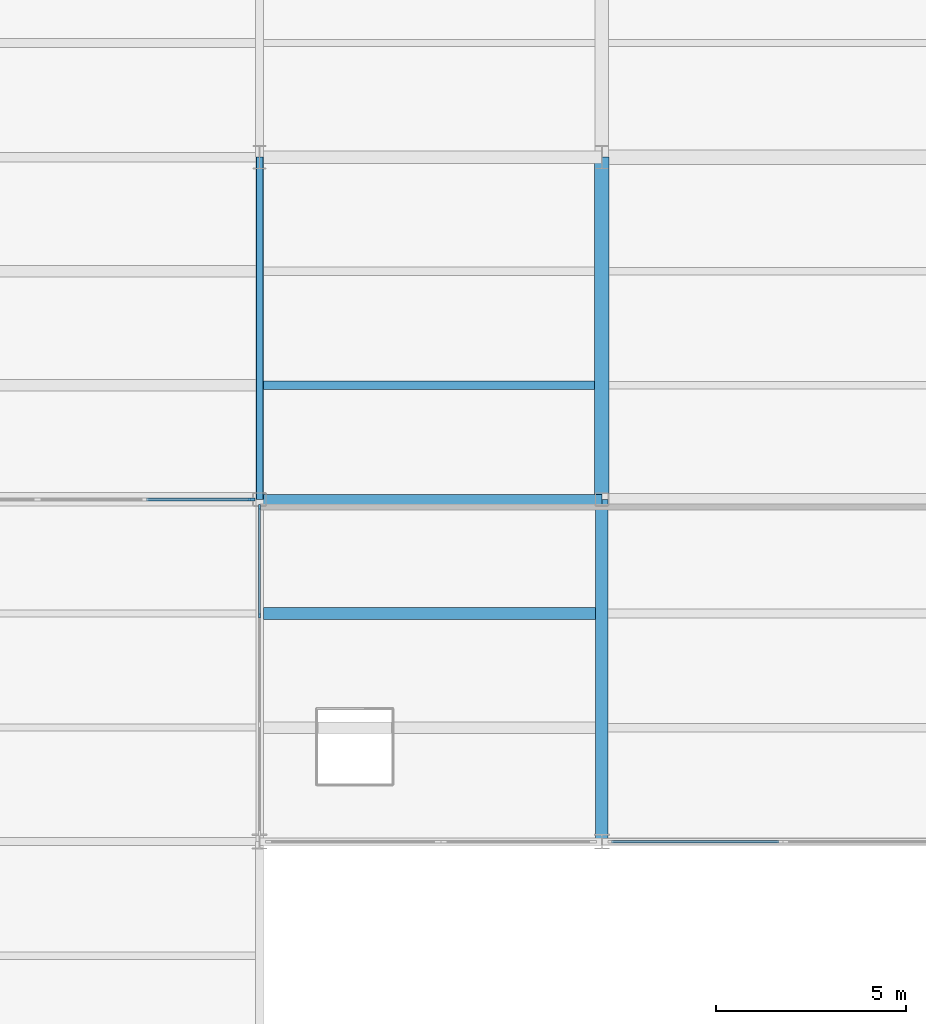
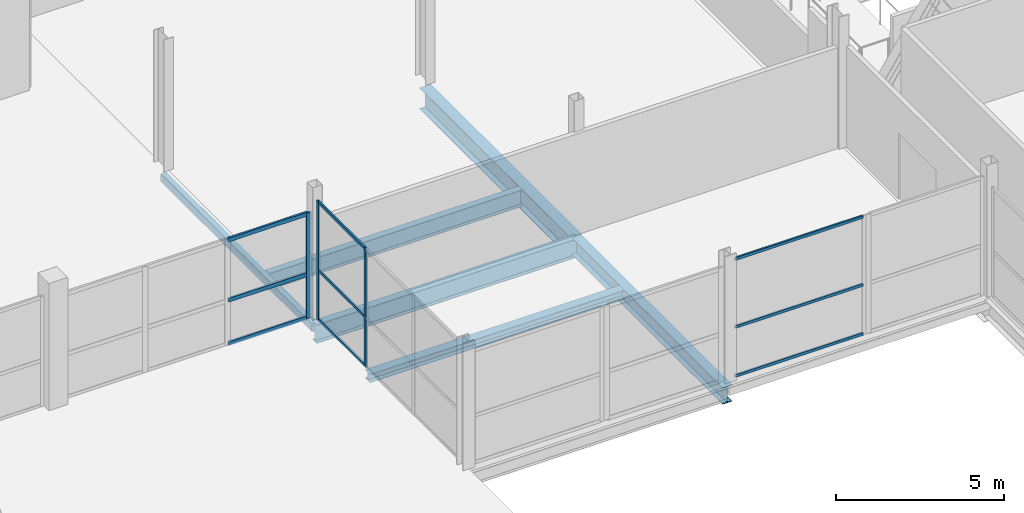
# One storey, part 125 of 224: 12 members, 6 beams, 3 elements without a shape of their own.
"""IFC4 building model written with IfcOpenShell, lengths in metres."""

from ifc_helpers import new_model, si_unit, direction, frame, origin, origin_2d, place, context, subcontext, project, spatial, rectangle, hollow_rectangle, i_section, extrude, material, layer, layer_set, material_profile, profile_set, type_object, element, aggregate, save


model = new_model("IFC4")

# Units and contexts
model_context = context("Model", 3, precision=1e-05, world=origin(), true_north=direction((0.0, 1.0)))
body_context = subcontext(model_context, "Body", "Model", "MODEL_VIEW")
ifc_project = project(units=[si_unit("LENGTHUNIT", "METRE"), si_unit("AREAUNIT", "SQUARE_METRE"), si_unit("VOLUMEUNIT", "CUBIC_METRE"), si_unit("PLANEANGLEUNIT", "RADIAN"), si_unit("MASSUNIT", "GRAM", prefix="KILO")], contexts=[model_context])

# Site, building, storey
site_placement = place(None, origin())
site = spatial("IfcSite", under=ifc_project, at=site_placement, CompositionType="ELEMENT")
building_placement = place(site_placement, origin())
building = spatial("IfcBuilding", under=site, at=building_placement, Name="Qamarlyn Nura Convention Centre", CompositionType="ELEMENT")
storey_placement = place(building_placement, frame((0.0, 0.0, 10.800048828125)))
storey = spatial("IfcBuildingStorey", under=building, at=storey_placement, Name="L02", CompositionType="ELEMENT", Elevation=10.800048828125)

# Beams
ifc_material_1 = material(Name="Steel ASTM A992", Category="steel")
ifc_material_profile_1 = material_profile(ifc_material_1, i_section(OverallWidth=0.323974609375, OverallDepth=0.611083984375, WebThickness=0.0126953125, FlangeThickness=0.01904296875, FilletRadius=0.01611328125, at=origin_2d()), Name="W610X155")
ifc_profile_set_1 = profile_set([ifc_material_profile_1], Name="Steel ASTM A992")
beam_type_1 = type_object("IfcBeamType", Name="BM-GIRD-610", PredefinedType="BEAM", material=ifc_profile_set_1)
beam_1_placement = place(storey_placement, frame((144.0, 18.0, -0.5654296875), z_axis=(0.0, 1.0, 0.0), x_axis=(-1.0, 0.0, 0.0)))
element("IfcBeam", 1, at=beam_1_placement, inside=storey, type_object=beam_type_1, Name="L02 girder 12 C-D", PredefinedType="BEAM", context=body_context, shape_type="SweptSolid", body=[
    extrude(i_section(OverallWidth=0.323974609375, OverallDepth=0.611083984375, WebThickness=0.0126953125, FlangeThickness=0.01904296875, FilletRadius=0.01611328125, at=origin_2d()), origin(), (0.0, 0.0, 1.0), 9.0),
])
ifc_material_profile_2 = material_profile(ifc_material_1, i_section(OverallWidth=0.25390625, OverallDepth=0.68408203125, WebThickness=0.012451171875, FlangeThickness=0.01904296875, FilletRadius=0.01806640625, at=origin_2d()), Name="W690X140")
ifc_profile_set_2 = profile_set([ifc_material_profile_2], Name="Steel ASTM A992")
beam_type_2 = type_object("IfcBeamType", Name="BM-GIRD-690B", PredefinedType="BEAM", material=ifc_profile_set_2)
beam_2_placement = place(storey_placement, frame((135.0, 27.0, -0.60205078125), z_axis=(1.0, 0.0, 0.0), x_axis=(0.0, 1.0, 0.0)))
element("IfcBeam", 2, at=beam_2_placement, inside=storey, type_object=beam_type_2, Name="L02 girder D 11-12", PredefinedType="BEAM", context=body_context, shape_type="SweptSolid", body=[
    extrude(i_section(OverallWidth=0.25390625, OverallDepth=0.68408203125, WebThickness=0.012451171875, FlangeThickness=0.01904296875, FilletRadius=0.01806640625, at=origin_2d()), origin(), (0.0, 0.0, 1.0), 9.0),
])
ifc_material_profile_3 = material_profile(ifc_material_1, i_section(OverallWidth=0.381103515625, OverallDepth=0.77294921875, WebThickness=0.0166015625, FlangeThickness=0.027587890625, FilletRadius=0.02001953125, at=origin_2d()), Name="W760X257")
ifc_profile_set_3 = profile_set([ifc_material_profile_3], Name="Steel ASTM A992")
beam_type_3 = type_object("IfcBeamType", Name="BM-GIRD-760", PredefinedType="BEAM", material=ifc_profile_set_3)
beam_3_placement = place(storey_placement, frame((144.0, 27.0, -0.646484375), z_axis=(0.0, 1.0, 0.0), x_axis=(-1.0, 0.0, 0.0)))
element("IfcBeam", 3, at=beam_3_placement, inside=storey, type_object=beam_type_3, Name="L02 girder 12 D-E", PredefinedType="BEAM", context=body_context, shape_type="SweptSolid", body=[
    extrude(i_section(OverallWidth=0.381103515625, OverallDepth=0.77294921875, WebThickness=0.0166015625, FlangeThickness=0.027587890625, FilletRadius=0.02001953125, at=origin_2d()), origin(), (0.0, 0.0, 1.0), 9.0),
])
ifc_material_profile_4 = material_profile(ifc_material_1, i_section(OverallWidth=0.304931640625, OverallDepth=0.30810546875, WebThickness=0.010009765625, FlangeThickness=0.015380859375, FilletRadius=0.014892578125, at=origin_2d()), Name="W310X97")
ifc_profile_set_4 = profile_set([ifc_material_profile_4], Name="Steel ASTM A992")
beam_type_4 = type_object("IfcBeamType", Name="BM-JOIST-310", PredefinedType="JOIST", material=ifc_profile_set_4)
beam_4_placement = place(storey_placement, frame((135.096435546875, 24.0, -0.4140625), z_axis=(1.0, 0.0, 0.0), x_axis=(0.0, 1.0, 0.0)))
element("IfcBeam", 4, at=beam_4_placement, inside=storey, type_object=beam_type_4, Name="L02 composite joist 11-12/C+2", PredefinedType="JOIST", context=body_context, shape_type="SweptSolid", body=[
    extrude(i_section(OverallWidth=0.304931640625, OverallDepth=0.30810546875, WebThickness=0.010009765625, FlangeThickness=0.015380859375, FilletRadius=0.014892578125, at=origin_2d()), origin(), (0.0, 0.0, 1.0), 8.741455078125),
])
ifc_material_profile_5 = material_profile(ifc_material_1, i_section(OverallWidth=0.22802734375, OverallDepth=0.60791015625, WebThickness=0.01123046875, FlangeThickness=0.017333984375, FilletRadius=0.01611328125, at=origin_2d()), Name="W610X113")
ifc_profile_set_5 = profile_set([ifc_material_profile_5], Name="Steel ASTM A992")
beam_type_5 = type_object("IfcBeamType", Name="BM-JOIST-610", PredefinedType="JOIST", material=ifc_profile_set_5)
beam_5_placement = place(storey_placement, frame((135.10009765625, 30.0, -0.56396484375), z_axis=(1.0, 0.0, 0.0), x_axis=(0.0, 1.0, 0.0)))
element("IfcBeam", 5, at=beam_5_placement, inside=storey, type_object=beam_type_5, Name="L02 composite joist 11-12/D+1", PredefinedType="JOIST", context=body_context, shape_type="SweptSolid", body=[
    extrude(i_section(OverallWidth=0.22802734375, OverallDepth=0.60791015625, WebThickness=0.01123046875, FlangeThickness=0.017333984375, FilletRadius=0.01611328125, at=origin_2d()), origin(), (0.0, 0.0, 1.0), 8.70947265625),
])
ifc_material_2 = material(Name="Steel ASTM A500 Grade C", Category="steel")
ifc_material_profile_6 = material_profile(ifc_material_2, hollow_rectangle(XDim=0.199951171875, YDim=0.300048828125, WallThickness=0.012451171875, InnerFilletRadius=0.012451171875, OuterFilletRadius=0.02490234375, at=origin_2d()), Name="HSS300X200X12.5")
ifc_profile_set_6 = profile_set([ifc_material_profile_6], Name="Steel ASTM A500 Grade C")
beam_type_6 = type_object("IfcBeamType", Name="BM-SPAN-HSS", PredefinedType="SPANDREL", material=ifc_profile_set_6)
beam_6_placement = place(storey_placement, frame((135.0, 27.0, -0.41015625), z_axis=(0.0, 1.0, 0.0), x_axis=(-1.0, 0.0, 0.0)))
element("IfcBeam", 6, at=beam_6_placement, inside=storey, type_object=beam_type_6, Name="L02 girder 11 D-E", PredefinedType="SPANDREL", context=body_context, shape_type="SweptSolid", body=[
    extrude(hollow_rectangle(XDim=0.199951171875, YDim=0.300048828125, WallThickness=0.012451171875, InnerFilletRadius=0.012451171875, OuterFilletRadius=0.02490234375, at=origin_2d()), origin(), (0.0, 0.0, 1.0), 9.0),
])

# Curtain wall, members
ifc_material_3 = material(Name="Double-silver low-E insulated glass", Category="glass")
ifc_layer_1 = layer(ifc_material_3, 0.179931640625, Name="CW-UNIT-102")
ifc_layer_set_1 = layer_set([ifc_layer_1], Name="Double-silver low-E insulated glass")
curtain_wall_type_1 = type_object("IfcCurtainWallType", Name="CW-UNIT-102", PredefinedType="NOTDEFINED", material=ifc_layer_set_1)
curtain_wall_1_placement = place(storey_placement, origin())
curtain_wall_1 = element("IfcCurtainWall", 7, at=curtain_wall_1_placement, inside=storey, type_object=curtain_wall_type_1, Name="L02 unitised curtain wall BLW-S-1", PredefinedType="NOTDEFINED")
ifc_material_4 = material(Name="Champagne-anodised marine aluminium", Category="aluminium")
ifc_material_profile_7 = material_profile(ifc_material_4, rectangle(XDim=0.06005859375, YDim=0.139892578125, at=origin_2d()), Name="ALU MULLION 60x140")
ifc_profile_set_7 = profile_set([ifc_material_profile_7], Name="Champagne-anodised marine aluminium")
member_type_1 = type_object("IfcMemberType", Name="CWM-140", PredefinedType="MULLION", material=ifc_profile_set_7)
member_1_placement = place(storey_placement, frame((135.0, 23.94873046875, 0.0), z_axis=(0.0, 0.0, 1.0), x_axis=(-1.0, 0.0, 0.0)))
member_1 = element("IfcMember", 8, at=member_1_placement, type_object=member_type_1, Name="CW102 mullion 3", PredefinedType="MULLION", context=body_context, shape_type="SweptSolid", body=[
    extrude(rectangle(XDim=0.06005859375, YDim=0.139892578125, at=origin_2d()), origin(), (0.0, 0.0, 1.0), 4.31005859375),
])
member_2_placement = place(storey_placement, frame((135.0, 26.794921875, 0.0), z_axis=(0.0, 0.0, 1.0), x_axis=(-1.0, 0.0, 0.0)))
member_2 = element("IfcMember", 9, at=member_2_placement, type_object=member_type_1, Name="CW102 mullion 4", PredefinedType="MULLION", context=body_context, shape_type="SweptSolid", body=[
    extrude(rectangle(XDim=0.06005859375, YDim=0.139892578125, at=origin_2d()), origin(), (0.0, 0.0, 1.0), 4.31005859375),
])

# Curtain wall, member
ifc_layer_2 = layer(ifc_material_3, 0.179931640625, Name="CW-UNIT-57")
ifc_layer_set_2 = layer_set([ifc_layer_2], Name="Double-silver low-E insulated glass")
curtain_wall_type_2 = type_object("IfcCurtainWallType", Name="CW-UNIT-57", PredefinedType="NOTDEFINED", material=ifc_layer_set_2)
curtain_wall_2_placement = place(storey_placement, origin())
curtain_wall_2 = element("IfcCurtainWall", 10, at=curtain_wall_2_placement, inside=storey, type_object=curtain_wall_type_2, Name="L02 unitised curtain wall BRG-S-1", PredefinedType="NOTDEFINED")
ifc_material_profile_8 = material_profile(ifc_material_4, rectangle(XDim=0.070068359375, YDim=0.179931640625, at=origin_2d()), Name="ALU MULLION 70x180")
ifc_profile_set_8 = profile_set([ifc_material_profile_8], Name="Champagne-anodised marine aluminium")
member_type_2 = type_object("IfcMemberType", Name="CWM-180", PredefinedType="MULLION", material=ifc_profile_set_8)
member_3_placement = place(storey_placement, frame((134.7900390625, 27.0, 0.0), z_axis=(0.0, 0.0, 1.0), x_axis=(0.0, -1.0, 0.0)))
member_3 = element("IfcMember", 11, at=member_3_placement, type_object=member_type_2, Name="CW57 mullion 1", PredefinedType="MULLION", context=body_context, shape_type="SweptSolid", body=[
    extrude(rectangle(XDim=0.070068359375, YDim=0.179931640625, at=origin_2d()), origin(), (0.0, 0.0, 1.0), 3.8369140625),
])

# Member
ifc_material_profile_9 = material_profile(ifc_material_4, rectangle(XDim=0.06005859375, YDim=0.10009765625, at=origin_2d()), Name="ALU TRANSOM 60x100")
ifc_profile_set_9 = profile_set([ifc_material_profile_9], Name="Champagne-anodised marine aluminium")
member_type_3 = type_object("IfcMemberType", Name="CWT-100", PredefinedType="USERDEFINED", material=ifc_profile_set_9)
member_4_placement = place(storey_placement, frame((135.0, 23.978759765625, 0.030029296875), z_axis=(0.0, 1.0, 0.0), x_axis=(-1.0, 0.0, 0.0)))
member_4 = element("IfcMember", 12, at=member_4_placement, type_object=member_type_3, Name="CW102 transom 3.1", ObjectType="TRANSOM", PredefinedType="USERDEFINED", context=body_context, shape_type="SweptSolid", body=[
    extrude(rectangle(XDim=0.06005859375, YDim=0.10009765625, at=origin_2d()), origin(), (0.0, 0.0, 1.0), 2.7861328125),
])

member_5_placement = place(storey_placement, frame((135.0, 23.978759765625, 1.81005859375), z_axis=(0.0, 1.0, 0.0), x_axis=(-1.0, 0.0, 0.0)))
member_5 = element("IfcMember", 13, at=member_5_placement, type_object=member_type_3, Name="CW102 transom 3.2", ObjectType="TRANSOM", PredefinedType="USERDEFINED", context=body_context, shape_type="SweptSolid", body=[
    extrude(rectangle(XDim=0.06005859375, YDim=0.10009765625, at=origin_2d()), origin(), (0.0, 0.0, 1.0), 2.7861328125),
])

member_6_placement = place(storey_placement, frame((135.0, 23.978759765625, 4.280029296875), z_axis=(0.0, 1.0, 0.0), x_axis=(-1.0, 0.0, 0.0)))
member_6 = element("IfcMember", 14, at=member_6_placement, type_object=member_type_3, Name="CW102 transom 3.3", ObjectType="TRANSOM", PredefinedType="USERDEFINED", context=body_context, shape_type="SweptSolid", body=[
    extrude(rectangle(XDim=0.06005859375, YDim=0.10009765625, at=origin_2d()), origin(), (0.0, 0.0, 1.0), 2.7861328125),
])

aggregate(curtain_wall_1, [member_1, member_2, member_4, member_5, member_6])

# Curtain wall, members
ifc_layer_3 = layer(ifc_material_3, 0.179931640625, Name="CW-UNIT-104")
ifc_layer_set_3 = layer_set([ifc_layer_3], Name="Double-silver low-E insulated glass")
curtain_wall_type_3 = type_object("IfcCurtainWallType", Name="CW-UNIT-104", PredefinedType="NOTDEFINED", material=ifc_layer_set_3)
curtain_wall_3_placement = place(storey_placement, origin())
curtain_wall_3 = element("IfcCurtainWall", 15, at=curtain_wall_3_placement, inside=storey, type_object=curtain_wall_type_3, Name="L02 unitised curtain wall BLW-SE-1B", PredefinedType="NOTDEFINED")
member_7_placement = place(storey_placement, frame((148.65771484375, 18.0, 0.030029296875), z_axis=(-1.0, 0.0, 0.0), x_axis=(0.0, -1.0, 0.0)))
member_7 = element("IfcMember", 16, at=member_7_placement, type_object=member_type_3, Name="CW104 transom 1.1", ObjectType="TRANSOM", PredefinedType="USERDEFINED", context=body_context, shape_type="SweptSolid", body=[
    extrude(rectangle(XDim=0.06005859375, YDim=0.10009765625, at=origin_2d()), origin(), (0.0, 0.0, 1.0), 4.398193359375),
])
member_8_placement = place(storey_placement, frame((148.65771484375, 18.0, 1.81005859375), z_axis=(-1.0, 0.0, 0.0), x_axis=(0.0, -1.0, 0.0)))
member_8 = element("IfcMember", 17, at=member_8_placement, type_object=member_type_3, Name="CW104 transom 1.2", ObjectType="TRANSOM", PredefinedType="USERDEFINED", context=body_context, shape_type="SweptSolid", body=[
    extrude(rectangle(XDim=0.06005859375, YDim=0.10009765625, at=origin_2d()), origin(), (0.0, 0.0, 1.0), 4.398193359375),
])
member_9_placement = place(storey_placement, frame((148.65771484375, 18.0, 4.280029296875), z_axis=(-1.0, 0.0, 0.0), x_axis=(0.0, -1.0, 0.0)))
member_9 = element("IfcMember", 18, at=member_9_placement, type_object=member_type_3, Name="CW104 transom 1.3", ObjectType="TRANSOM", PredefinedType="USERDEFINED", context=body_context, shape_type="SweptSolid", body=[
    extrude(rectangle(XDim=0.06005859375, YDim=0.10009765625, at=origin_2d()), origin(), (0.0, 0.0, 1.0), 4.398193359375),
])
aggregate(curtain_wall_3, [member_7, member_8, member_9])

# Member
ifc_material_profile_10 = material_profile(ifc_material_4, rectangle(XDim=0.070068359375, YDim=0.139892578125, at=origin_2d()), Name="ALU TRANSOM 70x140")
ifc_profile_set_10 = profile_set([ifc_material_profile_10], Name="Champagne-anodised marine aluminium")
member_type_4 = type_object("IfcMemberType", Name="CWT-140", PredefinedType="USERDEFINED", material=ifc_profile_set_10)
member_10_placement = place(storey_placement, frame((134.7548828125, 27.0, 0.034912109375), z_axis=(-1.0, 0.0, 0.0), x_axis=(0.0, -1.0, 0.0)))
member_10 = element("IfcMember", 19, at=member_10_placement, type_object=member_type_4, Name="CW57 transom 1.1", ObjectType="TRANSOM", PredefinedType="USERDEFINED", context=body_context, shape_type="SweptSolid", body=[
    extrude(rectangle(XDim=0.070068359375, YDim=0.139892578125, at=origin_2d()), origin(), (0.0, 0.0, 1.0), 2.728271484375),
])

member_11_placement = place(storey_placement, frame((134.7548828125, 27.0, 1.612060546875), z_axis=(-1.0, 0.0, 0.0), x_axis=(0.0, -1.0, 0.0)))
member_11 = element("IfcMember", 20, at=member_11_placement, type_object=member_type_4, Name="CW57 transom 1.2", ObjectType="TRANSOM", PredefinedType="USERDEFINED", context=body_context, shape_type="SweptSolid", body=[
    extrude(rectangle(XDim=0.070068359375, YDim=0.139892578125, at=origin_2d()), origin(), (0.0, 0.0, 1.0), 2.728271484375),
])

member_12_placement = place(storey_placement, frame((134.7548828125, 27.0, 3.802001953125), z_axis=(-1.0, 0.0, 0.0), x_axis=(0.0, -1.0, 0.0)))
member_12 = element("IfcMember", 21, at=member_12_placement, type_object=member_type_4, Name="CW57 transom 1.3", ObjectType="TRANSOM", PredefinedType="USERDEFINED", context=body_context, shape_type="SweptSolid", body=[
    extrude(rectangle(XDim=0.070068359375, YDim=0.139892578125, at=origin_2d()), origin(), (0.0, 0.0, 1.0), 2.728271484375),
])

aggregate(curtain_wall_2, [member_3, member_10, member_11, member_12])

save(model, "model.ifc")
